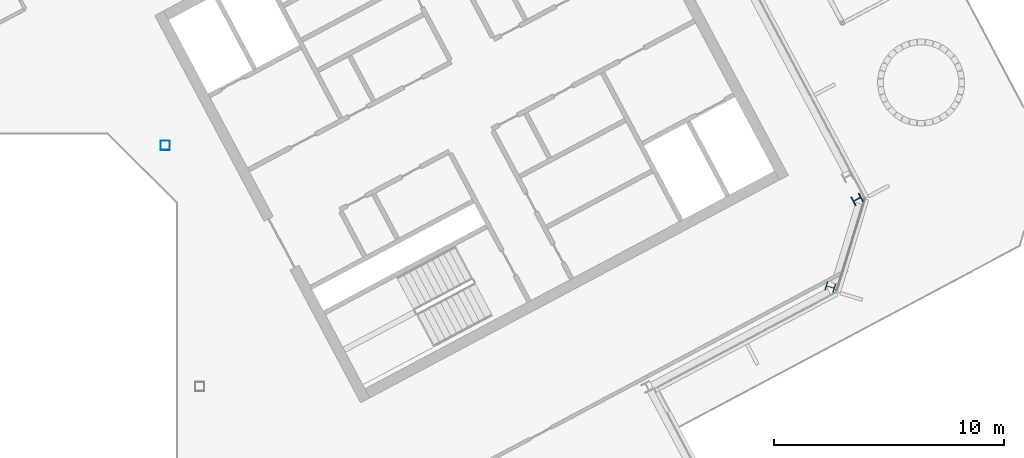
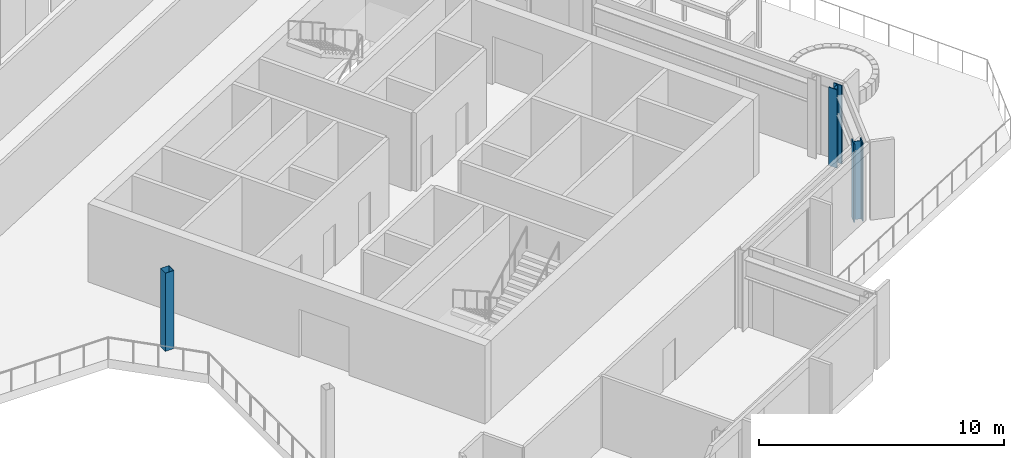
# One storey, part 6 of 30: 3 columns.
"""IFC4 building model written with IfcOpenShell, lengths in metres."""

import ifcopenshell
import ifcopenshell.guid

model = None  # the IFC model being written
_history = None  # IfcOwnerHistory: only IFC2X3 demands one
_inside = {}  # id of a spatial element -> (the spatial element, [elements in it])
_under = {}  # id of a project, library or spatial element -> (it, [spatial elements below it])
_declared = {}  # id of a project -> (the project, [libraries it declares])
_typed = {}  # id of a type object -> (the type object, [elements of that type])
_made_of = {}  # id of a material, layer set ... -> (it, [elements and type objects made of it])


def new_model(schema):
    """Start an empty IFC model of exactly this schema.

    Asked for "IFC4X3", IfcOpenShell would pick the latest addendum, in which some entities
    have other attributes; the version numbers below select the first issue.
    IFC2X3 requires an IfcOwnerHistory on every rooted entity: one is made here for all.
    """
    global model, _history
    if schema == "IFC4X3":
        model = ifcopenshell.file(schema_version=(4, 3, 0, 0))
    else:
        model = ifcopenshell.file(schema=schema)
    _inside.clear()
    _under.clear()
    _declared.clear()
    _typed.clear()
    _made_of.clear()
    _history = None
    if model.schema == "IFC2X3":
        org = make("IfcOrganization", Name="unknown")
        user = make(
            "IfcPersonAndOrganization",
            ThePerson=make("IfcPerson", FamilyName="unknown"),
            TheOrganization=org,
        )
        app = make(
            "IfcApplication",
            ApplicationDeveloper=org,
            Version="unknown",
            ApplicationFullName="unknown",
            ApplicationIdentifier="unknown",
        )
        _history = make(
            "IfcOwnerHistory",
            OwningUser=user,
            OwningApplication=app,
            ChangeAction="ADDED",
            CreationDate=0,
        )
    return model


def make(cls, **values):
    """One entity of the class cls with the attributes given. An attribute that is None is left unset."""
    return model.create_entity(
        cls, **{name: value for name, value in values.items() if value is not None}
    )


def rooted(cls, **values):
    """An entity with a GlobalId (a new one), such as an element, a storey or a relation."""
    return make(cls, GlobalId=ifcopenshell.guid.new(), OwnerHistory=_history, **values)


def si_unit(unit_type, name, prefix=None):
    """IfcSIUnit, for example si_unit("LENGTHUNIT", "METRE", prefix="MILLI")."""
    return make("IfcSIUnit", UnitType=unit_type, Prefix=prefix, Name=name)


def assignment(units):
    """IfcUnitAssignment: the units of a project."""
    return None if units is None else make("IfcUnitAssignment", Units=units)


def point(xyz):
    """IfcCartesianPoint."""
    return None if xyz is None else make("IfcCartesianPoint", Coordinates=xyz)


def direction(xyz):
    """IfcDirection."""
    return None if xyz is None else make("IfcDirection", DirectionRatios=xyz)


def frame(location, z_axis=None, x_axis=None):
    """IfcAxis2Placement3D, a coordinate frame: its origin and axes. An axis left out is left unset."""
    return make(
        "IfcAxis2Placement3D",
        Location=point(location),
        Axis=direction(z_axis),
        RefDirection=direction(x_axis),
    )


def frame_2d(location, x_axis=None):
    """IfcAxis2Placement2D, a coordinate frame in the plane: its origin and x axis."""
    return make(
        "IfcAxis2Placement2D", Location=point(location), RefDirection=direction(x_axis)
    )


def origin():
    """The frame at (0, 0, 0) with its axes left unset."""
    return frame((0.0, 0.0, 0.0))


def origin_2d():
    """The frame at (0, 0) in the plane with its x axis left unset."""
    return frame_2d((0.0, 0.0))


def place(relative_to, where):
    """IfcLocalPlacement: puts the frame where relative to a parent placement (None: the world)."""
    return make(
        "IfcLocalPlacement", PlacementRelTo=relative_to, RelativePlacement=where
    )


def context(
    kind, dimensions, precision=None, world=None, true_north=None, identifier=None
):
    """IfcGeometricRepresentationContext, for example the 3D "Model" context."""
    return make(
        "IfcGeometricRepresentationContext",
        ContextIdentifier=identifier,
        ContextType=kind,
        CoordinateSpaceDimension=dimensions,
        Precision=precision,
        WorldCoordinateSystem=world,
        TrueNorth=true_north,
    )


def subcontext(parent, identifier, kind, view, scale=None):
    """IfcGeometricRepresentationSubContext, for example "Body" below "Model"."""
    return make(
        "IfcGeometricRepresentationSubContext",
        ContextIdentifier=identifier,
        ContextType=kind,
        ParentContext=parent,
        TargetScale=scale,
        TargetView=view,
    )


def project(units=None, contexts=None):
    """IfcProject with its units and contexts."""
    return rooted(
        "IfcProject",
        Name="project",
        RepresentationContexts=contexts,
        UnitsInContext=assignment(units),
    )


def spatial(cls, under=None, at=None, **own):
    """A site, building, storey or space (cls), placed at a placement, below another one or the project."""
    s = rooted(cls, ObjectPlacement=at, **own)
    if under is not None:
        _under.setdefault(under.id(), (under, []))[1].append(s)
    return s


def profile(cls, at=None, kind="AREA", **sizes):
    """A parametric profile (cls). Its sizes go by their IFC names, for example OverallWidth=200.0."""
    return make(cls, ProfileType=kind, Position=at, **sizes)


def hollow_rectangle(**sizes):
    """IfcRectangleHollowProfileDef."""
    return profile("IfcRectangleHollowProfileDef", **sizes)


def i_section(**sizes):
    """IfcIShapeProfileDef."""
    return profile("IfcIShapeProfileDef", **sizes)


def extrude(swept, where, along, depth):
    """IfcExtrudedAreaSolid: the profile swept, set in the frame where, extruded along a direction by depth."""
    return make(
        "IfcExtrudedAreaSolid",
        SweptArea=swept,
        Position=where,
        ExtrudedDirection=direction(along),
        Depth=depth,
    )


def shape(context_of_items, identifier, shape_type, items):
    """IfcShapeRepresentation: the items that make up one representation, for example the "Body"."""
    return make(
        "IfcShapeRepresentation",
        ContextOfItems=context_of_items,
        RepresentationIdentifier=identifier,
        RepresentationType=shape_type,
        Items=items,
    )


def material(Name=None, Category=None):
    """IfcMaterial."""
    return make("IfcMaterial", Name=Name, Category=Category)


def material_profile(
    of_material, cross_section, Name=None, Category=None, Priority=None
):
    """IfcMaterialProfile: a cross section and its material."""
    return make(
        "IfcMaterialProfile",
        Name=Name,
        Material=of_material,
        Profile=cross_section,
        Priority=Priority,
        Category=Category,
    )


def profile_set(profiles, Name=None, composite=None):
    """IfcMaterialProfileSet."""
    return make(
        "IfcMaterialProfileSet",
        Name=Name,
        MaterialProfiles=profiles,
        CompositeProfile=composite,
    )


def made_of(thing, what):
    """Note that an element or type object is made of a material, layer set ...; save() writes the relation."""
    if what is not None:
        _made_of.setdefault(what.id(), (what, []))[1].append(thing)
    return thing


def type_object(cls, material=None, **own):
    """A type object (cls), such as IfcWallType, which elements share."""
    return made_of(rooted(cls, **own), material)


def element(
    cls,
    number,
    at=None,
    inside=None,
    cuts=None,
    type_object=None,
    material=None,
    context=None,
    identifier="Body",
    shape_type=None,
    held_by="IfcProductDefinitionShape",
    body=None,
    shapes=None,
    **own,
):
    """One element of the class cls, such as IfcWall. Its Tag is "e" and its number.

    at: its placement. inside: the storey or other place that contains it. cuts: it is an
    opening in that element (IfcRelVoidsElement). A single representation is given by context,
    identifier, shape_type and body (its items); several are given by shapes. held_by: the class
    of the entity that holds the representations. save() writes the other relations.
    """
    e = rooted(cls, Tag="e%d" % number, ObjectPlacement=at, **own)
    if body is not None:
        shapes = [shape(context, identifier, shape_type, body)]
    if shapes is not None:
        e.Representation = make(held_by, Representations=shapes)
    if inside is not None:
        _inside.setdefault(inside.id(), (inside, []))[1].append(e)
    if cuts is not None:
        rooted(
            "IfcRelVoidsElement", RelatingBuildingElement=cuts, RelatedOpeningElement=e
        )
    if type_object is not None:
        _typed.setdefault(type_object.id(), (type_object, []))[1].append(e)
    return made_of(e, material)


def aggregate(whole, parts):
    """IfcRelAggregates: a whole, such as a stair, and the parts it consists of."""
    return rooted("IfcRelAggregates", RelatingObject=whole, RelatedObjects=parts)


def save(model, path):
    """Write the relations noted so far, then the file.

    IfcRelAggregates (storeys below a building ...), IfcRelContainedInSpatialStructure (elements
    in a storey), IfcRelDefinesByType, IfcRelAssociatesMaterial and IfcRelDeclares: one each for
    every whole, place, type object, material and project.
    """
    for whole, parts in _under.values():
        aggregate(whole, parts)
    for where, things in _inside.values():
        rooted(
            "IfcRelContainedInSpatialStructure",
            RelatedElements=things,
            RelatingStructure=where,
        )
    for kind, things in _typed.values():
        rooted("IfcRelDefinesByType", RelatedObjects=things, RelatingType=kind)
    for what, things in _made_of.values():
        rooted("IfcRelAssociatesMaterial", RelatedObjects=things, RelatingMaterial=what)
    for by, libraries in _declared.values():
        rooted("IfcRelDeclares", RelatingContext=by, RelatedDefinitions=libraries)
    model.write(path)


model = new_model("IFC4")

# Units and contexts
model_context = context("Model", 3, precision=1e-05, world=origin(), true_north=direction((0.0, 1.0)))
body_context = subcontext(model_context, "Body", "Model", "MODEL_VIEW")
ifc_project = project(units=[si_unit("LENGTHUNIT", "METRE"), si_unit("AREAUNIT", "SQUARE_METRE"), si_unit("VOLUMEUNIT", "CUBIC_METRE"), si_unit("PLANEANGLEUNIT", "RADIAN"), si_unit("MASSUNIT", "GRAM", prefix="KILO")], contexts=[model_context])

# Site, building, storey
site_placement = place(None, origin())
site = spatial("IfcSite", under=ifc_project, at=site_placement, CompositionType="ELEMENT")
building_placement = place(site_placement, origin())
building = spatial("IfcBuilding", under=site, at=building_placement, Name="Cormorant Relay Tower", CompositionType="ELEMENT")
storey_placement = place(building_placement, frame((0.0, 0.0, 258.0)))
storey = spatial("IfcBuildingStorey", under=building, at=storey_placement, Name="L57", CompositionType="ELEMENT", Elevation=258.0)

# Columns
ifc_material_1 = material(Name="Steel ASTM A500 Grade C (Fy 345 MPa)", Category="steel")
ifc_material_profile_1 = material_profile(ifc_material_1, hollow_rectangle(XDim=0.406494140625, YDim=0.406494140625, WallThickness=0.0087890625, InnerFilletRadius=0.00439453125, OuterFilletRadius=0.01318359375, at=origin_2d()), Name="HSS406x406x9")
ifc_profile_set_1 = profile_set([ifc_material_profile_1], Name="Steel ASTM A500 Grade C (Fy 345 MPa)")
column_type_1 = type_object("IfcColumnType", Name="Column HSS406x406x9", PredefinedType="COLUMN", material=ifc_profile_set_1)
column_placement = place(storey_placement, frame((10.5, 10.5, 0.0), z_axis=(0.0, 0.0, 1.0), x_axis=(1.0, 0.0, 0.0)))
element("IfcColumn", 1, at=column_placement, inside=storey, type_object=column_type_1, Name="Column L57-024", PredefinedType="COLUMN", context=body_context, shape_type="SweptSolid", body=[
    extrude(hollow_rectangle(XDim=0.406494140625, YDim=0.406494140625, WallThickness=0.0087890625, InnerFilletRadius=0.00439453125, OuterFilletRadius=0.01318359375, at=origin_2d()), origin(), (0.0, 0.0, 1.0), 3.89990234375),
])
ifc_material_2 = material(Name="Steel ASTM A992 (Fy 345 MPa)", Category="steel")
ifc_material_profile_2 = material_profile(ifc_material_2, i_section(OverallWidth=0.40380859375, OverallDepth=0.406494140625, WebThickness=0.027099609375, FlangeThickness=0.043701171875, FilletRadius=0.01513671875, at=origin_2d()), Name="W360x347")
ifc_profile_set_2 = profile_set([ifc_material_profile_2], Name="Steel ASTM A992 (Fy 345 MPa)")
column_type_2 = type_object("IfcColumnType", Name="Column W360x347", PredefinedType="COLUMN", material=ifc_profile_set_2)
for number, where, z_axis, x_axis, name in (
    (2, (39.464111328125, 4.330078125, 0.0), (0.0, 0.0, 1.0), (0.292371704723, 0.956304755963, 0.0), "Column L57-019"),
    (3, (40.633056640625, 8.153076171875, 0.0), (0.0, 0.0, 1.0), (-0.469471562786, 0.882947592859, 0.0), "Column L57-020"),
):
    element("IfcColumn", number, at=place(storey_placement, frame(where, z_axis=z_axis, x_axis=x_axis)), inside=storey, type_object=column_type_2, Name=name, PredefinedType="COLUMN", context=body_context, shape_type="SweptSolid", body=[
        extrude(i_section(OverallWidth=0.40380859375, OverallDepth=0.406494140625, WebThickness=0.027099609375, FlangeThickness=0.043701171875, FilletRadius=0.01513671875, at=origin_2d()), origin(), (0.0, 0.0, 1.0), 3.89990234375),
    ])

save(model, "model.ifc")
